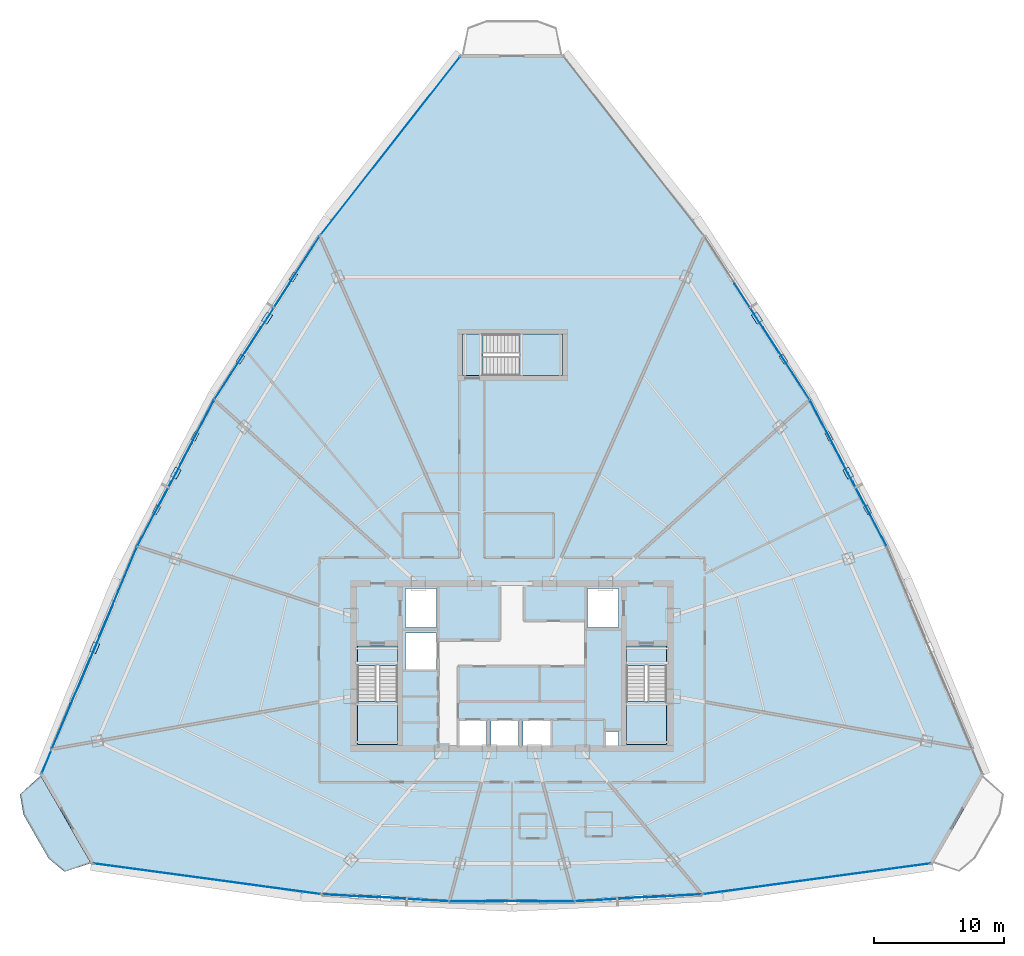
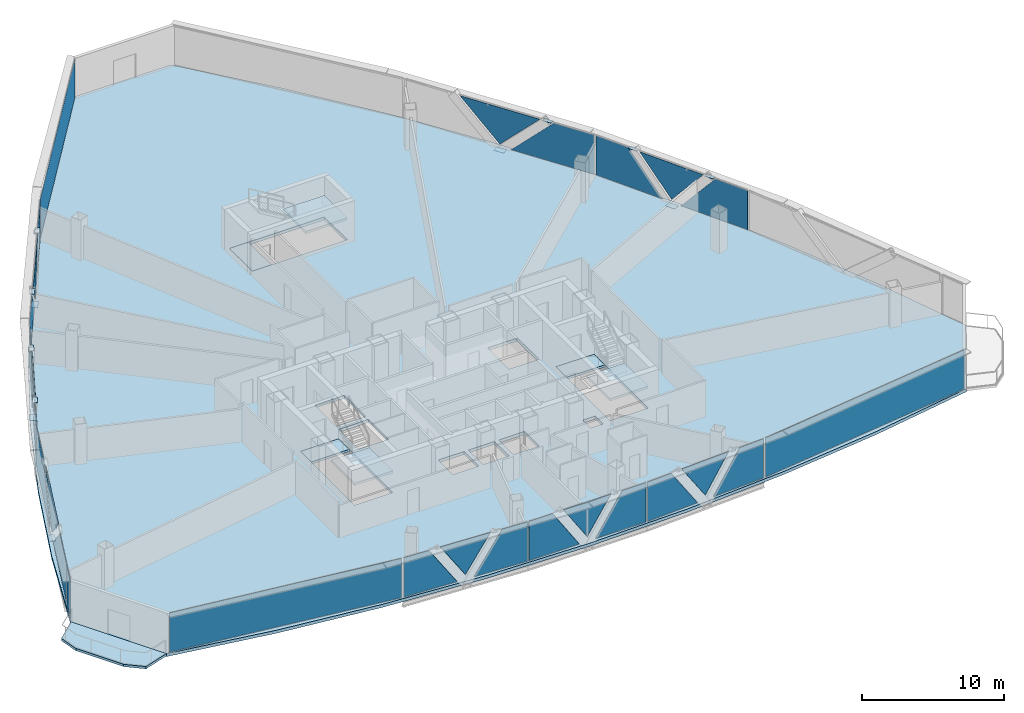
# One storey, part 25 of 34: 39 plates, 8 slabs, 15 elements without a shape of their own.
"""IFC4 building model written with IfcOpenShell, lengths in metres."""

from ifc_helpers import new_model, si_unit, direction, frame, origin, origin_2d, place, context, subcontext, project, spatial, polyline, rectangle, outline, extrude, source, transform, mapped, material, layer, layer_set, type_object, element, aggregate, save


model = new_model("IFC4")

# Units and contexts
model_context = context("Model", 3, precision=1e-05, world=origin(), true_north=direction((0.0, 1.0)))
body_context = subcontext(model_context, "Body", "Model", "MODEL_VIEW")
ifc_project = project(units=[si_unit("LENGTHUNIT", "METRE"), si_unit("AREAUNIT", "SQUARE_METRE"), si_unit("VOLUMEUNIT", "CUBIC_METRE"), si_unit("PLANEANGLEUNIT", "RADIAN"), si_unit("MASSUNIT", "GRAM", prefix="KILO"), si_unit("THERMODYNAMICTEMPERATUREUNIT", "KELVIN"), si_unit("POWERUNIT", "WATT")], contexts=[model_context])

# Site, building, storey
site_placement = place(None, origin())
site = spatial("IfcSite", under=ifc_project, at=site_placement, CompositionType="ELEMENT")
building_placement = place(site_placement, origin())
building = spatial("IfcBuilding", under=site, at=building_placement, Name="Yunzhuo Pagoda Commons", CompositionType="ELEMENT")
storey_placement = place(building_placement, frame((0.0, 0.0, 233.340087890625)))
storey = spatial("IfcBuildingStorey", under=building, at=storey_placement, Name="L58", CompositionType="ELEMENT", Elevation=233.340087890625)

# Curtain wall, plates
ifc_material_1 = material(Name="Anodized aluminium 6063-T6", Category="aluminium")
ifc_layer_1 = layer(ifc_material_1, 0.139892578125)
ifc_layer_set_1 = layer_set([ifc_layer_1], Name="Anodized aluminium 6063-T6")
curtain_wall_type = type_object("IfcCurtainWallType", Name="CW-HI High-Zone Ribbon Curtain Wall", PredefinedType="NOTDEFINED", material=ifc_layer_set_1)
curtain_wall_1_placement = place(storey_placement, origin())
curtain_wall_1 = element("IfcCurtainWall", 1, at=curtain_wall_1_placement, inside=storey, type_object=curtain_wall_type, Name="L58 curtain wall CW-L58-F1B2", PredefinedType="NOTDEFINED")
ifc_material_2 = material(Name="Tempered low-e double glazing", Category="glass")
ifc_layer_2 = layer(ifc_material_2, 0.02587890625)
ifc_layer_set_2 = layer_set([ifc_layer_2], Name="Tempered low-e double glazing")
plate_type_1 = type_object("IfcPlateType", Name="CW-HI-P Low-E Double Glazing 26", PredefinedType="CURTAIN_PANEL", material=ifc_layer_set_2)
plate_1_placement = place(storey_placement, frame((35.529541015625, 16.168701171875, 1.73486328125), z_axis=(-0.054981193813, -0.998487390169, 0.0), x_axis=(0.998487390169, -0.054981193813, 0.0)))
plate_1 = element("IfcPlate", 2, at=plate_1_placement, type_object=plate_type_1, Name="CW panel 1.1 lite 1", PredefinedType="CURTAIN_PANEL", context=body_context, shape_type="SweptSolid", body=[
    extrude(outline(polyline([(-2.0947265625, -1.679931640625), (2.0947265625, -1.679931640625), (-0.11767578125, 1.679931640625), (-2.0947265625, 1.679931640625), (-2.0947265625, -1.679931640625)])), origin(), (0.0, 0.0, 1.0), 0.028076171875),
])
plate_2_placement = place(storey_placement, frame((38.283935546875, 16.047119140625, 1.9228515625), z_axis=(-0.054981193813, -0.998487390169, 0.0), x_axis=(0.998487390169, -0.054981193813, 0.0)))
plate_2 = element("IfcPlate", 3, at=plate_2_placement, type_object=plate_type_1, Name="CW panel 1.1 lite 2", PredefinedType="CURTAIN_PANEL", context=body_context, shape_type="SweptSolid", body=[
    extrude(outline(polyline([(-1.964599609375, 1.491943359375), (0.0, -1.491943359375), (1.964599609375, 1.491943359375), (-1.964599609375, 1.491943359375)])), origin(), (0.0, 0.0, 1.0), 0.028076171875),
])
plate_3_placement = place(storey_placement, frame((41.03515625, 15.86572265625, 1.73486328125), z_axis=(-0.054981193813, -0.998487390169, 0.0), x_axis=(0.998487390169, -0.054981193813, 0.0)))
plate_3 = element("IfcPlate", 4, at=plate_3_placement, type_object=plate_type_1, Name="CW panel 1.1 lite 3", PredefinedType="CURTAIN_PANEL", context=body_context, shape_type="SweptSolid", body=[
    extrude(outline(polyline([(-2.0947265625, -1.679931640625), (2.0947265625, -1.679931640625), (2.0947265625, 1.679931640625), (0.11767578125, 1.679931640625), (-2.0947265625, -1.679931640625)])), origin(), (0.0, 0.0, 1.0), 0.028076171875),
])
aggregate(curtain_wall_1, [plate_1, plate_2, plate_3])

curtain_wall_2_placement = place(storey_placement, origin())
curtain_wall_2 = element("IfcCurtainWall", 5, at=curtain_wall_2_placement, inside=storey, type_object=curtain_wall_type, Name="L58 curtain wall CW-L58-F1B3", PredefinedType="NOTDEFINED")
plate_4_placement = place(storey_placement, frame((45.295166015625, 15.74755859375, 1.73486328125), z_axis=(0.0, -1.0, 0.0), x_axis=(1.0, 0.0, 0.0)))
plate_4 = element("IfcPlate", 6, at=plate_4_placement, type_object=plate_type_1, Name="CW panel 1.1 lite 1", PredefinedType="CURTAIN_PANEL", context=body_context, shape_type="SweptSolid", body=[
    extrude(outline(polyline([(-2.04931640625, -1.679931640625), (2.04931640625, -1.679931640625), (-0.119140625, 1.679931640625), (-2.04931640625, 1.679931640625), (-2.04931640625, -1.679931640625)])), origin(), (0.0, 0.0, 1.0), 0.028076171875),
])
plate_5_placement = place(storey_placement, frame((48.0, 15.77734375, 1.927734375), z_axis=(0.0, -1.0, 0.0), x_axis=(1.0, 0.0, 0.0)))
plate_5 = element("IfcPlate", 7, at=plate_5_placement, type_object=plate_type_1, Name="CW panel 1.1 lite 2", PredefinedType="CURTAIN_PANEL", context=body_context, shape_type="SweptSolid", body=[
    extrude(outline(polyline([(-1.919189453125, 1.487060546875), (0.0, -1.487060546875), (1.919189453125, 1.487060546875), (-1.919189453125, 1.487060546875)])), origin(), (0.0, 0.0, 1.0), 0.028076171875),
])
plate_6_placement = place(storey_placement, frame((50.704833984375, 15.74755859375, 1.73486328125), z_axis=(0.0, -1.0, 0.0), x_axis=(1.0, 0.0, 0.0)))
plate_6 = element("IfcPlate", 8, at=plate_6_placement, type_object=plate_type_1, Name="CW panel 1.1 lite 3", PredefinedType="CURTAIN_PANEL", context=body_context, shape_type="SweptSolid", body=[
    extrude(outline(polyline([(-2.04931640625, -1.679931640625), (2.04931640625, -1.679931640625), (2.04931640625, 1.679931640625), (0.119140625, 1.679931640625), (-2.04931640625, -1.679931640625)])), origin(), (0.0, 0.0, 1.0), 0.028076171875),
])
aggregate(curtain_wall_2, [plate_4, plate_5, plate_6])

curtain_wall_3_placement = place(storey_placement, origin())
curtain_wall_3 = element("IfcCurtainWall", 9, at=curtain_wall_3_placement, inside=storey, type_object=curtain_wall_type, Name="L58 curtain wall CW-L58-F1B4", PredefinedType="NOTDEFINED")
plate_7_placement = place(storey_placement, frame((54.96484375, 15.86572265625, 1.73486328125), z_axis=(0.054981193813, -0.998487390169, 0.0), x_axis=(0.998487390169, 0.054981193813, 0.0)))
plate_7 = element("IfcPlate", 10, at=plate_7_placement, type_object=plate_type_1, Name="CW panel 1.1 lite 1", PredefinedType="CURTAIN_PANEL", context=body_context, shape_type="SweptSolid", body=[
    extrude(outline(polyline([(-2.0947265625, -1.679931640625), (2.0947265625, -1.679931640625), (-0.11767578125, 1.679931640625), (-2.0947265625, 1.679931640625), (-2.0947265625, -1.679931640625)])), origin(), (0.0, 0.0, 1.0), 0.028076171875),
])
plate_8_placement = place(storey_placement, frame((57.716064453125, 16.047119140625, 1.9228515625), z_axis=(0.054981193813, -0.998487390169, 0.0), x_axis=(0.998487390169, 0.054981193813, 0.0)))
plate_8 = element("IfcPlate", 11, at=plate_8_placement, type_object=plate_type_1, Name="CW panel 1.1 lite 2", PredefinedType="CURTAIN_PANEL", context=body_context, shape_type="SweptSolid", body=[
    extrude(outline(polyline([(-1.964599609375, 1.491943359375), (0.0, -1.491943359375), (1.964599609375, 1.491943359375), (-1.964599609375, 1.491943359375)])), origin(), (0.0, 0.0, 1.0), 0.028076171875),
])
plate_9_placement = place(storey_placement, frame((60.470458984375, 16.168701171875, 1.73486328125), z_axis=(0.054981193813, -0.998487390169, 0.0), x_axis=(0.998487390169, 0.054981193813, 0.0)))
plate_9 = element("IfcPlate", 12, at=plate_9_placement, type_object=plate_type_1, Name="CW panel 1.1 lite 3", PredefinedType="CURTAIN_PANEL", context=body_context, shape_type="SweptSolid", body=[
    extrude(outline(polyline([(-2.0947265625, -1.679931640625), (2.0947265625, -1.679931640625), (2.0947265625, 1.679931640625), (0.11767578125, 1.679931640625), (-2.0947265625, -1.679931640625)])), origin(), (0.0, 0.0, 1.0), 0.028076171875),
])
aggregate(curtain_wall_3, [plate_7, plate_8, plate_9])

curtain_wall_4_placement = place(storey_placement, origin())
curtain_wall_4 = element("IfcCurtainWall", 13, at=curtain_wall_4_placement, inside=storey, type_object=curtain_wall_type, Name="L58 curtain wall CW-L58-F2B3", PredefinedType="NOTDEFINED")
plate_10_placement = place(storey_placement, frame((75.515869140625, 45.568603515625, 1.73486328125), z_axis=(0.885137797473, 0.465329001337, 0.0), x_axis=(-0.465329001337, 0.885137797473, 0.0)))
plate_10 = element("IfcPlate", 14, at=plate_10_placement, type_object=plate_type_1, Name="CW panel 1.1 lite 1", PredefinedType="CURTAIN_PANEL", context=body_context, shape_type="SweptSolid", body=[
    extrude(outline(polyline([(-2.76806640625, -1.679931640625), (2.76806640625, -1.679931640625), (-0.098388671875, 1.679931640625), (-2.76806640625, 1.679931640625), (-2.76806640625, -1.679931640625)])), origin(), (0.0, 0.0, 1.0), 0.028076171875),
])
plate_11_placement = place(storey_placement, frame((73.84375, 48.684814453125, 1.8701171875), z_axis=(0.885137797473, 0.465329001337, 0.0), x_axis=(-0.465329001337, 0.885137797473, 0.0)))
plate_11 = element("IfcPlate", 15, at=plate_11_placement, type_object=plate_type_1, Name="CW panel 1.1 lite 2", PredefinedType="CURTAIN_PANEL", context=body_context, shape_type="SweptSolid", body=[
    extrude(outline(polyline([(-2.6357421875, 1.544677734375), (0.0, -1.544677734375), (2.6357421875, 1.544677734375), (-2.6357421875, 1.544677734375)])), origin(), (0.0, 0.0, 1.0), 0.028076171875),
])
plate_12_placement = place(storey_placement, frame((72.224853515625, 51.82861328125, 1.73486328125), z_axis=(0.885137797473, 0.465329001337, 0.0), x_axis=(-0.465329001337, 0.885137797473, 0.0)))
plate_12 = element("IfcPlate", 16, at=plate_12_placement, type_object=plate_type_1, Name="CW panel 1.1 lite 3", PredefinedType="CURTAIN_PANEL", context=body_context, shape_type="SweptSolid", body=[
    extrude(outline(polyline([(-2.76806640625, -1.679931640625), (2.76806640625, -1.679931640625), (2.76806640625, 1.679931640625), (0.098388671875, 1.679931640625), (-2.76806640625, -1.679931640625)])), origin(), (0.0, 0.0, 1.0), 0.028076171875),
])
aggregate(curtain_wall_4, [plate_10, plate_11, plate_12])

curtain_wall_5_placement = place(storey_placement, origin())
curtain_wall_5 = element("IfcCurtainWall", 17, at=curtain_wall_5_placement, inside=storey, type_object=curtain_wall_type, Name="L58 curtain wall CW-L58-F2B4", PredefinedType="NOTDEFINED")
plate_13_placement = place(storey_placement, frame((69.095458984375, 57.14892578125, 1.73486328125), z_axis=(0.840807373352, 0.541334426133, 0.0), x_axis=(-0.541334426133, 0.840807373352, 0.0)))
plate_13 = element("IfcPlate", 18, at=plate_13_placement, type_object=plate_type_1, Name="CW panel 1.1 lite 1", PredefinedType="CURTAIN_PANEL", context=body_context, shape_type="SweptSolid", body=[
    extrude(outline(polyline([(-3.29150390625, -1.679931640625), (3.29150390625, -1.679931640625), (-0.085693359375, 1.679931640625), (-3.29150390625, 1.679931640625), (-3.29150390625, -1.679931640625)])), origin(), (0.0, 0.0, 1.0), 0.028076171875),
])
plate_14_placement = place(storey_placement, frame((66.8251953125, 60.61962890625, 1.845458984375), z_axis=(0.840807373352, 0.541334426133, 0.0), x_axis=(-0.541334426133, 0.840807373352, 0.0)))
plate_14 = element("IfcPlate", 19, at=plate_14_placement, type_object=plate_type_1, Name="CW panel 1.1 lite 2", PredefinedType="CURTAIN_PANEL", context=body_context, shape_type="SweptSolid", body=[
    extrude(outline(polyline([(-3.1552734375, 1.569580078125), (0.0, -1.569580078125), (3.1552734375, 1.569580078125), (-3.1552734375, 1.569580078125)])), origin(), (0.0, 0.0, 1.0), 0.028076171875),
])
aggregate(curtain_wall_5, [plate_13, plate_14])

curtain_wall_6_placement = place(storey_placement, origin())
curtain_wall_6 = element("IfcCurtainWall", 20, at=curtain_wall_6_placement, inside=storey, type_object=curtain_wall_type, Name="L58 curtain wall CW-L58-F3B2", PredefinedType="NOTDEFINED")
plate_15_placement = place(storey_placement, frame((31.39453125, 64.12255859375, 1.73486328125), z_axis=(-0.840807373352, 0.541334426133, 0.0), x_axis=(-0.541334426133, -0.840807373352, 0.0)))
plate_15 = element("IfcPlate", 21, at=plate_15_placement, type_object=plate_type_1, Name="CW panel 1.1 lite 1", PredefinedType="CURTAIN_PANEL", context=body_context, shape_type="SweptSolid", body=[
    extrude(outline(polyline([(-3.29150390625, -1.679931640625), (3.29150390625, -1.679931640625), (-0.085693359375, 1.679931640625), (-3.29150390625, 1.679931640625), (-3.29150390625, -1.679931640625)])), origin(), (0.0, 0.0, 1.0), 0.028076171875),
])
plate_16_placement = place(storey_placement, frame((29.1748046875, 60.61962890625, 1.845458984375), z_axis=(-0.840807373352, 0.541334426133, 0.0), x_axis=(-0.541334426133, -0.840807373352, 0.0)))
plate_16 = element("IfcPlate", 22, at=plate_16_placement, type_object=plate_type_1, Name="CW panel 1.1 lite 2", PredefinedType="CURTAIN_PANEL", context=body_context, shape_type="SweptSolid", body=[
    extrude(outline(polyline([(-3.1552734375, 1.569580078125), (0.0, -1.569580078125), (3.1552734375, 1.569580078125), (-3.1552734375, 1.569580078125)])), origin(), (0.0, 0.0, 1.0), 0.028076171875),
])
plate_17_placement = place(storey_placement, frame((26.904541015625, 57.14892578125, 1.73486328125), z_axis=(-0.840807373352, 0.541334426133, 0.0), x_axis=(-0.541334426133, -0.840807373352, 0.0)))
plate_17 = element("IfcPlate", 23, at=plate_17_placement, type_object=plate_type_1, Name="CW panel 1.1 lite 3", PredefinedType="CURTAIN_PANEL", context=body_context, shape_type="SweptSolid", body=[
    extrude(outline(polyline([(-3.29150390625, -1.679931640625), (3.29150390625, -1.679931640625), (3.29150390625, 1.679931640625), (0.085693359375, 1.679931640625), (-3.29150390625, -1.679931640625)])), origin(), (0.0, 0.0, 1.0), 0.028076171875),
])
aggregate(curtain_wall_6, [plate_15, plate_16, plate_17])

curtain_wall_7_placement = place(storey_placement, origin())
curtain_wall_7 = element("IfcCurtainWall", 24, at=curtain_wall_7_placement, inside=storey, type_object=curtain_wall_type, Name="L58 curtain wall CW-L58-F3B3", PredefinedType="NOTDEFINED")
plate_18_placement = place(storey_placement, frame((23.775146484375, 51.82861328125, 1.73486328125), z_axis=(-0.885137797473, 0.465329001337, 0.0), x_axis=(-0.465329001337, -0.885137797473, 0.0)))
plate_18 = element("IfcPlate", 25, at=plate_18_placement, type_object=plate_type_1, Name="CW panel 1.1 lite 1", PredefinedType="CURTAIN_PANEL", context=body_context, shape_type="SweptSolid", body=[
    extrude(outline(polyline([(-2.76806640625, -1.679931640625), (2.76806640625, -1.679931640625), (-0.098388671875, 1.679931640625), (-2.76806640625, 1.679931640625), (-2.76806640625, -1.679931640625)])), origin(), (0.0, 0.0, 1.0), 0.028076171875),
])
plate_19_placement = place(storey_placement, frame((22.15625, 48.684814453125, 1.8701171875), z_axis=(-0.885137797473, 0.465329001337, 0.0), x_axis=(-0.465329001337, -0.885137797473, 0.0)))
plate_19 = element("IfcPlate", 26, at=plate_19_placement, type_object=plate_type_1, Name="CW panel 1.1 lite 2", PredefinedType="CURTAIN_PANEL", context=body_context, shape_type="SweptSolid", body=[
    extrude(outline(polyline([(-2.6357421875, 1.544677734375), (0.0, -1.544677734375), (2.6357421875, 1.544677734375), (-2.6357421875, 1.544677734375)])), origin(), (0.0, 0.0, 1.0), 0.028076171875),
])
plate_20_placement = place(storey_placement, frame((20.484130859375, 45.568603515625, 1.73486328125), z_axis=(-0.885137797473, 0.465329001337, 0.0), x_axis=(-0.465329001337, -0.885137797473, 0.0)))
plate_20 = element("IfcPlate", 27, at=plate_20_placement, type_object=plate_type_1, Name="CW panel 1.1 lite 3", PredefinedType="CURTAIN_PANEL", context=body_context, shape_type="SweptSolid", body=[
    extrude(outline(polyline([(-2.76806640625, -1.679931640625), (2.76806640625, -1.679931640625), (2.76806640625, 1.679931640625), (0.098388671875, 1.679931640625), (-2.76806640625, -1.679931640625)])), origin(), (0.0, 0.0, 1.0), 0.028076171875),
])
aggregate(curtain_wall_7, [plate_18, plate_19, plate_20])

curtain_wall_8_placement = place(storey_placement, origin())
curtain_wall_8 = element("IfcCurtainWall", 28, at=curtain_wall_8_placement, inside=storey, type_object=curtain_wall_type, Name="L58 curtain wall CW-L58-F3B4", PredefinedType="NOTDEFINED")
plate_21_placement = place(storey_placement, frame((17.693603515625, 39.564453125, 1.73486328125), z_axis=(-0.92158893956, 0.388167266112, 0.0), x_axis=(-0.388167266112, -0.92158893956, 0.0)))
plate_21 = element("IfcPlate", 29, at=plate_21_placement, type_object=plate_type_1, Name="CW panel 1.1 lite 1", PredefinedType="CURTAIN_PANEL", context=body_context, shape_type="SweptSolid", body=[
    extrude(outline(polyline([(-3.740234375, -1.679931640625), (3.740234375, -1.679931640625), (-0.076171875, 1.679931640625), (-3.740234375, 1.679931640625), (-3.740234375, -1.679931640625)])), origin(), (0.0, 0.0, 1.0), 0.028076171875),
])
plate_22_placement = place(storey_placement, frame((15.9072265625, 35.24609375, 1.83056640625), z_axis=(-0.92158893956, 0.388167266112, 0.0), x_axis=(-0.388167266112, -0.92158893956, 0.0)))
plate_22 = element("IfcPlate", 30, at=plate_22_placement, type_object=plate_type_1, Name="CW panel 1.1 lite 2", PredefinedType="CURTAIN_PANEL", context=body_context, shape_type="SweptSolid", body=[
    extrude(outline(polyline([(-3.59912109375, 1.58447265625), (0.0, -1.58447265625), (3.59912109375, 1.58447265625), (-3.59912109375, 1.58447265625)])), origin(), (0.0, 0.0, 1.0), 0.028076171875),
])
plate_23_placement = place(storey_placement, frame((14.0654296875, 30.950927734375, 1.73486328125), z_axis=(-0.92158893956, 0.388167266112, 0.0), x_axis=(-0.388167266112, -0.92158893956, 0.0)))
plate_23 = element("IfcPlate", 31, at=plate_23_placement, type_object=plate_type_1, Name="CW panel 1.1 lite 3", PredefinedType="CURTAIN_PANEL", context=body_context, shape_type="SweptSolid", body=[
    extrude(outline(polyline([(-3.740234375, -1.679931640625), (3.740234375, -1.679931640625), (3.740234375, 1.679931640625), (0.076171875, 1.679931640625), (-3.740234375, -1.679931640625)])), origin(), (0.0, 0.0, 1.0), 0.028076171875),
])
aggregate(curtain_wall_8, [plate_21, plate_22, plate_23])

# Slab
ifc_material_3 = material(Name="Concrete C40", Category="concrete")
ifc_layer_3 = layer(ifc_material_3, 0.199951171875)
ifc_layer_set_3 = layer_set([ifc_layer_3], Name="Concrete C40")
slab_type_1 = type_object("IfcSlabType", Name="SL-BAL Vertex Balcony Deck Slab 200", PredefinedType="FLOOR", material=ifc_layer_set_3)
slab_1_placement = place(storey_placement, frame((0.0, 0.0, -0.2001953125)))
element("IfcSlab", 32, at=slab_1_placement, inside=storey, type_object=slab_type_1, Name="L58 corner balcony V1", PredefinedType="FLOOR", context=body_context, shape_type="SweptSolid", body=[
    extrude(outline(polyline([(11.717529296875, 25.412109375), (15.588134765625, 18.67041015625), (13.54736328125, 18.017578125), (12.32666015625, 19.038818359375), (10.391357421875, 22.40966796875), (10.124755859375, 23.978515625), (11.717529296875, 25.412109375)])), origin(), (0.0, 0.0, 1.0), 0.2001953125),
])

# Stair, slabs
stair_type_1 = type_object("IfcStairType", Name="ST-C1 Core Smokeproof Stair ST1", PredefinedType="HALF_TURN_STAIR", material=ifc_material_3)
stair_1_placement = place(storey_placement, origin())
stair_1 = element("IfcStair", 33, at=stair_1_placement, inside=storey, type_object=stair_type_1, Name="L58 Core smokeproof stair ST1", PredefinedType="HALF_TURN_STAIR")
ifc_layer_4 = layer(ifc_material_3, 0.199951171875)
ifc_layer_set_4 = layer_set([ifc_layer_4], Name="Concrete C40")
slab_type_2 = type_object("IfcSlabType", Name="SL-LND1 Stair Landing Slab 200", PredefinedType="LANDING", material=ifc_layer_set_4)
slab_2_placement = place(storey_placement, frame((0.0, 0.0, 1.664794921875)))
slab_2 = element("IfcSlab", 34, at=slab_2_placement, type_object=slab_type_2, Name="ST1 landing 1", PredefinedType="LANDING", context=body_context, shape_type="SweptSolid", body=[
    extrude(outline(polyline([(36.10009765625, 31.10009765625), (36.10009765625, 27.800048828125), (39.199951171875, 27.800048828125), (39.199951171875, 31.10009765625), (36.10009765625, 31.10009765625)])), origin(), (0.0, 0.0, 1.0), 0.2001953125),
])
slab_3_placement = place(storey_placement, frame((0.0, 0.0, -0.2001953125)))
slab_3 = element("IfcSlab", 35, at=slab_3_placement, type_object=slab_type_2, Name="ST1 floor landing L58", PredefinedType="LANDING", context=body_context, shape_type="SweptSolid", body=[
    extrude(outline(polyline([(36.10009765625, 35.39990234375), (36.10009765625, 33.89990234375), (39.199951171875, 33.89990234375), (39.199951171875, 35.39990234375), (36.10009765625, 35.39990234375)])), origin(), (0.0, 0.0, 1.0), 0.2001953125),
])
aggregate(stair_1, [slab_2, slab_3])

stair_type_2 = type_object("IfcStairType", Name="ST-C2 Core Smokeproof Stair ST2", PredefinedType="HALF_TURN_STAIR", material=ifc_material_3)
stair_2_placement = place(storey_placement, origin())
stair_2 = element("IfcStair", 36, at=stair_2_placement, inside=storey, type_object=stair_type_2, Name="L58 Core smokeproof stair ST2", PredefinedType="HALF_TURN_STAIR")
ifc_layer_5 = layer(ifc_material_3, 0.201904296875)
ifc_layer_set_5 = layer_set([ifc_layer_5], Name="Concrete C40")
slab_type_3 = type_object("IfcSlabType", Name="SL-LND2 Stair Landing Slab 202", PredefinedType="LANDING", material=ifc_layer_set_5)
slab_4_placement = place(storey_placement, frame((0.0, 0.0, 1.664794921875)))
slab_4 = element("IfcSlab", 37, at=slab_4_placement, type_object=slab_type_3, Name="ST2 landing 1", PredefinedType="LANDING", context=body_context, shape_type="SweptSolid", body=[
    extrude(outline(polyline([(56.800048828125, 31.10009765625), (56.800048828125, 27.800048828125), (59.89990234375, 27.800048828125), (59.89990234375, 31.10009765625), (56.800048828125, 31.10009765625)])), origin(), (0.0, 0.0, 1.0), 0.2001953125),
])
slab_5_placement = place(storey_placement, frame((0.0, 0.0, -0.2001953125)))
slab_5 = element("IfcSlab", 38, at=slab_5_placement, type_object=slab_type_3, Name="ST2 floor landing L58", PredefinedType="LANDING", context=body_context, shape_type="SweptSolid", body=[
    extrude(outline(polyline([(56.800048828125, 35.39990234375), (56.800048828125, 33.89990234375), (59.89990234375, 33.89990234375), (59.89990234375, 35.39990234375), (56.800048828125, 35.39990234375)])), origin(), (0.0, 0.0, 1.0), 0.2001953125),
])
aggregate(stair_2, [slab_4, slab_5])

stair_type_3 = type_object("IfcStairType", Name="ST-C3 North Tower Smokeproof Stair ST3", PredefinedType="HALF_TURN_STAIR", material=ifc_material_3)
stair_3_placement = place(storey_placement, origin())
stair_3 = element("IfcStair", 39, at=stair_3_placement, inside=storey, type_object=stair_type_3, Name="L58 North tower smokeproof stair ST3", PredefinedType="HALF_TURN_STAIR")
ifc_layer_6 = layer(ifc_material_3, 0.2041015625)
ifc_layer_set_6 = layer_set([ifc_layer_6], Name="Concrete C40")
slab_type_4 = type_object("IfcSlabType", Name="SL-LND5 North Landing Slab 204", PredefinedType="LANDING", material=ifc_layer_set_6)
slab_6_placement = place(storey_placement, frame((0.0, 0.0, 1.664794921875)))
slab_6 = element("IfcSlab", 40, at=slab_6_placement, type_object=slab_type_4, Name="ST3 landing 1", PredefinedType="LANDING", context=body_context, shape_type="SweptSolid", body=[
    extrude(outline(polyline([(48.550048828125, 56.199951171875), (51.89990234375, 56.199951171875), (51.89990234375, 59.39990234375), (48.550048828125, 59.39990234375), (48.550048828125, 56.199951171875)])), origin(), (0.0, 0.0, 1.0), 0.2001953125),
])
slab_7_placement = place(storey_placement, frame((0.0, 0.0, -0.2001953125)))
slab_7 = element("IfcSlab", 41, at=slab_7_placement, type_object=slab_type_4, Name="ST3 floor landing L58", PredefinedType="LANDING", context=body_context, shape_type="SweptSolid", body=[
    extrude(outline(polyline([(44.199951171875, 56.199951171875), (45.75, 56.199951171875), (45.75, 59.39990234375), (44.199951171875, 59.39990234375), (44.199951171875, 56.199951171875)])), origin(), (0.0, 0.0, 1.0), 0.2001953125),
])
aggregate(stair_3, [slab_6, slab_7])

# Slab
ifc_layer_7 = layer(ifc_material_3, 0.260009765625)
ifc_layer_set_7 = layer_set([ifc_layer_7], Name="Concrete C40")
slab_type_5 = type_object("IfcSlabType", Name="SL-TWR Typical Tower Floor Slab 260", PredefinedType="FLOOR", material=ifc_layer_set_7)
slab_8_placement = place(storey_placement, frame((0.0, 0.0, -0.260009765625)))
element("IfcSlab", 42, at=slab_8_placement, inside=storey, type_object=slab_type_5, Name="L58 structural floor slab", PredefinedType="FLOOR", context=body_context, shape_type="SweptSolid", body=[
    extrude(outline(polyline([(14.5810546875, 33.0498046875), (17.78076171875, 40.486328125), (21.32080078125, 47.72412109375), (25.20166015625, 54.76318359375), (29.4228515625, 61.603515625), (33.984375, 68.2451171875), (38.88671875, 74.68798828125), (44.129150390625, 80.931884765625), (51.870849609375, 80.931884765625), (57.11328125, 74.68798828125), (62.015625, 68.2451171875), (66.5771484375, 61.603515625), (70.79833984375, 54.76318359375), (74.67919921875, 47.72412109375), (78.21923828125, 40.486328125), (81.4189453125, 33.0498046875), (84.2783203125, 25.41455078125), (80.407470703125, 18.673095703125), (72.3056640625, 17.293212890625), (64.20361328125, 16.3076171875), (56.101806640625, 15.716064453125), (48.0, 15.51904296875), (39.898193359375, 15.716064453125), (31.79638671875, 16.3076171875), (23.6943359375, 17.293212890625), (15.592529296875, 18.673095703125), (11.7216796875, 25.41455078125), (14.5810546875, 33.0498046875)]), holes=[polyline([(56.179931640625, 28.800048828125), (55.179931640625, 28.800048828125), (55.179931640625, 27.699951171875), (56.179931640625, 27.699951171875), (56.179931640625, 28.800048828125)]), polyline([(46.050048828125, 29.64990234375), (43.949951171875, 29.64990234375), (43.949951171875, 27.60009765625), (46.050048828125, 27.60009765625), (46.050048828125, 29.64990234375)]), polyline([(48.5, 29.64990234375), (46.39990234375, 29.64990234375), (46.39990234375, 27.60009765625), (48.5, 27.60009765625), (48.5, 29.64990234375)]), polyline([(50.949951171875, 27.60009765625), (50.949951171875, 29.64990234375), (48.85009765625, 29.64990234375), (48.85009765625, 27.60009765625), (50.949951171875, 27.60009765625)]), polyline([(36.10009765625, 27.800048828125), (39.199951171875, 27.800048828125), (39.199951171875, 35.39990234375), (36.10009765625, 35.39990234375), (36.10009765625, 27.800048828125)]), polyline([(59.89990234375, 27.800048828125), (59.89990234375, 35.39990234375), (56.800048828125, 35.39990234375), (56.800048828125, 27.800048828125), (59.89990234375, 27.800048828125)]), polyline([(42.199951171875, 36.39990234375), (39.800048828125, 36.39990234375), (39.800048828125, 33.60009765625), (42.199951171875, 33.60009765625), (42.199951171875, 36.39990234375)]), polyline([(42.199951171875, 39.800048828125), (39.800048828125, 39.800048828125), (39.800048828125, 36.800048828125), (42.199951171875, 36.800048828125), (42.199951171875, 39.800048828125)]), polyline([(56.199951171875, 36.800048828125), (56.199951171875, 39.800048828125), (53.800048828125, 39.800048828125), (53.800048828125, 36.800048828125), (56.199951171875, 36.800048828125)]), polyline([(51.89990234375, 56.199951171875), (51.89990234375, 59.39990234375), (44.199951171875, 59.39990234375), (44.199951171875, 56.199951171875), (51.89990234375, 56.199951171875)])]), origin(), (0.0, 0.0, 1.0), 0.260009765625),
])

# Plates
ifc_material_4 = material(Name="Structural steel Q355B", Category="steel")
ifc_layer_8 = layer(ifc_material_4, 0.028076171875)
ifc_layer_set_8 = layer_set([ifc_layer_8], Name="Structural steel Q355B")
plate_type_2 = type_object("IfcPlateType", Name="SP-ND1 Lattice Node Cap Plate 800x500x28", PredefinedType="USERDEFINED", material=ifc_layer_set_8)
shared_shape_1 = source(origin(), body_context, "Body", "SweptSolid", [
    extrude(rectangle(XDim=0.800048828125, YDim=0.5, at=origin_2d()), origin(), (0.0, 0.0, 1.0), 0.028076171875),
])
for number, where, z_axis, x_axis, name in (
    (43, (73.8828125, 48.705322265625, -0.27392578125), (0.0, 0.0, 1.0), (-0.465336470286, 0.885133870904, 0.0), "L58 diamond node plate F2.2A"),
    (44, (66.8623046875, 60.643310546875, -0.27392578125), (0.0, 0.0, 1.0), (-0.541341392357, 0.840802888269, 0.0), "L58 diamond node plate F2.3A"),
    (45, (29.1376953125, 60.643310546875, -0.27392578125), (0.0, 0.0, 1.0), (-0.541341392357, -0.840802888269, 0.0), "L58 diamond node plate F3.1A"),
    (46, (22.1171875, 48.705322265625, -0.27392578125), (0.0, 0.0, 1.0), (-0.465336470286, -0.885133870904, 0.0), "L58 diamond node plate F3.2A"),
    (47, (15.86669921875, 35.26318359375, -0.27392578125), (0.0, 0.0, 1.0), (-0.388175158617, -0.921585615248, 0.0), "L58 diamond node plate F3.3A"),
):
    element("IfcPlate", number, at=place(storey_placement, frame(where, z_axis=z_axis, x_axis=x_axis)), inside=storey, type_object=plate_type_2, Name=name, ObjectType="STIFFENER_PLATE", PredefinedType="USERDEFINED", context=body_context, shape_type="MappedRepresentation", body=[
        mapped(shared_shape_1, transform((0.0, 0.0, 0.0), scale=1.0)),
    ])
shared_shape_2 = source(origin(), body_context, "Body", "SweptSolid", [
    extrude(rectangle(XDim=0.699951171875, YDim=0.35009765625, at=origin_2d()), origin(), (0.0, 0.0, 1.0), 0.035888671875),
])
for number, where, z_axis, x_axis, name in (
    (48, (75.363525390625, 45.888671875, 3.43212890625), (0.0, 0.0, 1.0), (-0.465336470286, 0.885133870904, 0.0), "L58 setback lattice tie plate F2.2L"),
    (49, (72.402099609375, 51.52197265625, 3.43212890625), (0.0, 0.0, 1.0), (-0.465336470286, 0.885133870904, 0.0), "L58 setback lattice tie plate F2.2R"),
    (50, (68.891845703125, 57.490966796875, 3.43212890625), (0.0, 0.0, 1.0), (-0.541341392357, 0.840802888269, 0.0), "L58 setback lattice tie plate F2.3L"),
    (51, (31.16748046875, 63.795654296875, 3.43212890625), (0.0, 0.0, 1.0), (-0.541341392357, -0.840802888269, 0.0), "L58 setback lattice tie plate F3.1L"),
    (52, (27.108154296875, 57.490966796875, 3.43212890625), (0.0, 0.0, 1.0), (-0.541341392357, -0.840802888269, 0.0), "L58 setback lattice tie plate F3.1R"),
    (53, (23.597900390625, 51.52197265625, 3.43212890625), (0.0, 0.0, 1.0), (-0.465336470286, -0.885133870904, 0.0), "L58 setback lattice tie plate F3.2L"),
    (54, (20.636474609375, 45.888671875, 3.43212890625), (0.0, 0.0, 1.0), (-0.465336470286, -0.885133870904, 0.0), "L58 setback lattice tie plate F3.2R"),
):
    element("IfcPlate", number, at=place(storey_placement, frame(where, z_axis=z_axis, x_axis=x_axis)), inside=storey, type_object=plate_type_2, Name=name, ObjectType="STIFFENER_PLATE", PredefinedType="USERDEFINED", context=body_context, shape_type="MappedRepresentation", body=[
        mapped(shared_shape_2, transform((0.0, 0.0, 0.0), scale=1.0)),
    ])

# Curtain wall, plate
curtain_wall_9_placement = place(storey_placement, origin())
curtain_wall_9 = element("IfcCurtainWall", 55, at=curtain_wall_9_placement, inside=storey, type_object=curtain_wall_type, Name="L58 curtain wall CW-L58-F1B1", PredefinedType="NOTDEFINED")
shared_shape_3 = source(origin(), body_context, "Body", "SweptSolid", [
    extrude(rectangle(XDim=17.590087890625, YDim=0.028076171875, at=origin_2d()), origin(), (0.0, 0.0, 1.0), 3.360107421875),
])
plate_24_placement = place(storey_placement, frame((24.52783203125, 17.46923828125, 0.0546875), z_axis=(0.0, 0.0, 1.0), x_axis=(0.990990850616, -0.133929585963, 0.0)))
plate_24 = element("IfcPlate", 56, at=plate_24_placement, type_object=plate_type_1, Name="CW panel 1.1", PredefinedType="CURTAIN_PANEL", context=body_context, shape_type="MappedRepresentation", body=[
    mapped(shared_shape_3, transform((0.0, 0.0, 0.0), scale=1.0)),
])
aggregate(curtain_wall_9, [plate_24])

curtain_wall_10_placement = place(storey_placement, origin())
curtain_wall_10 = element("IfcCurtainWall", 57, at=curtain_wall_10_placement, inside=storey, type_object=curtain_wall_type, Name="L58 curtain wall CW-L58-F1B5", PredefinedType="NOTDEFINED")
plate_25_placement = place(storey_placement, frame((71.47216796875, 17.46923828125, 0.0546875), z_axis=(0.0, 0.0, 1.0), x_axis=(0.990990850616, 0.133929585963, 0.0)))
plate_25 = element("IfcPlate", 58, at=plate_25_placement, type_object=plate_type_1, Name="CW panel 1.1", PredefinedType="CURTAIN_PANEL", context=body_context, shape_type="MappedRepresentation", body=[
    mapped(shared_shape_3, transform((0.0, 0.0, 0.0), scale=1.0)),
])
aggregate(curtain_wall_10, [plate_25])

curtain_wall_11_placement = place(storey_placement, origin())
curtain_wall_11 = element("IfcCurtainWall", 59, at=curtain_wall_11_placement, inside=storey, type_object=curtain_wall_type, Name="L58 curtain wall CW-L58-F3B5", PredefinedType="NOTDEFINED")
shared_shape_4 = source(origin(), body_context, "Body", "SweptSolid", [
    extrude(rectangle(XDim=1.85595703125, YDim=0.028076171875, at=origin_2d()), origin(), (0.0, 0.0, 1.0), 3.360107421875),
])
plate_26_placement = place(storey_placement, frame((12.16796875, 26.47314453125, 0.0546875), z_axis=(0.0, 0.0, 1.0), x_axis=(-0.385344767667, -0.922772675165, 0.0)))
plate_26 = element("IfcPlate", 60, at=plate_26_placement, type_object=plate_type_1, Name="CW panel 1.1", PredefinedType="CURTAIN_PANEL", context=body_context, shape_type="MappedRepresentation", body=[
    mapped(shared_shape_4, transform((0.0, 0.0, 0.0), scale=1.0)),
])
aggregate(curtain_wall_11, [plate_26])

curtain_wall_12_placement = place(storey_placement, origin())
curtain_wall_12 = element("IfcCurtainWall", 61, at=curtain_wall_12_placement, inside=storey, type_object=curtain_wall_type, Name="L58 curtain wall CW-L58-F3B1", PredefinedType="NOTDEFINED")
shared_shape_5 = source(origin(), body_context, "Body", "SweptSolid", [
    extrude(rectangle(XDim=17.39404296875, YDim=0.028076171875, at=origin_2d()), origin(), (0.0, 0.0, 1.0), 3.360107421875),
])
plate_27_placement = place(storey_placement, frame((38.638671875, 73.904541015625, 0.0546875), z_axis=(0.0, 0.0, 1.0), x_axis=(-0.616136433127, -0.787639445288, 0.0)))
plate_27 = element("IfcPlate", 62, at=plate_27_placement, type_object=plate_type_1, Name="CW panel 1.1", PredefinedType="CURTAIN_PANEL", context=body_context, shape_type="MappedRepresentation", body=[
    mapped(shared_shape_5, transform((0.0, 0.0, 0.0), scale=1.0)),
])
aggregate(curtain_wall_12, [plate_27])

save(model, "model.ifc")
